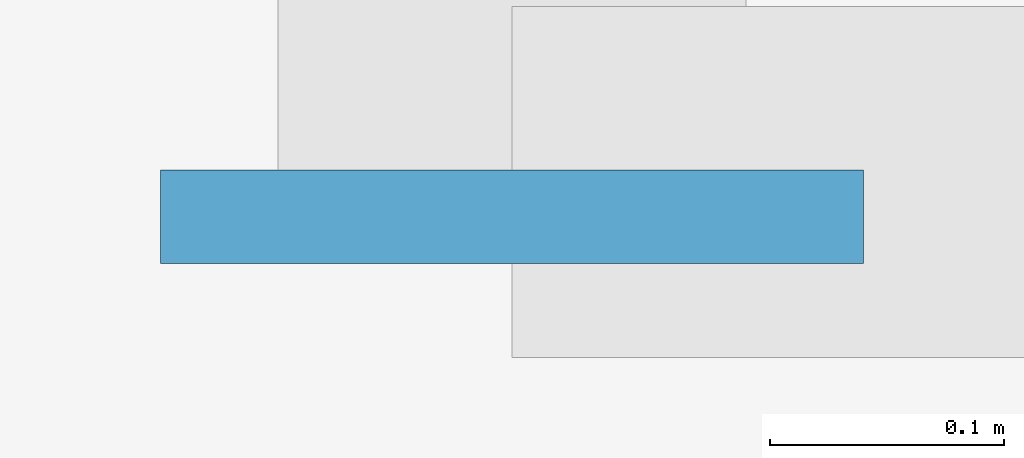
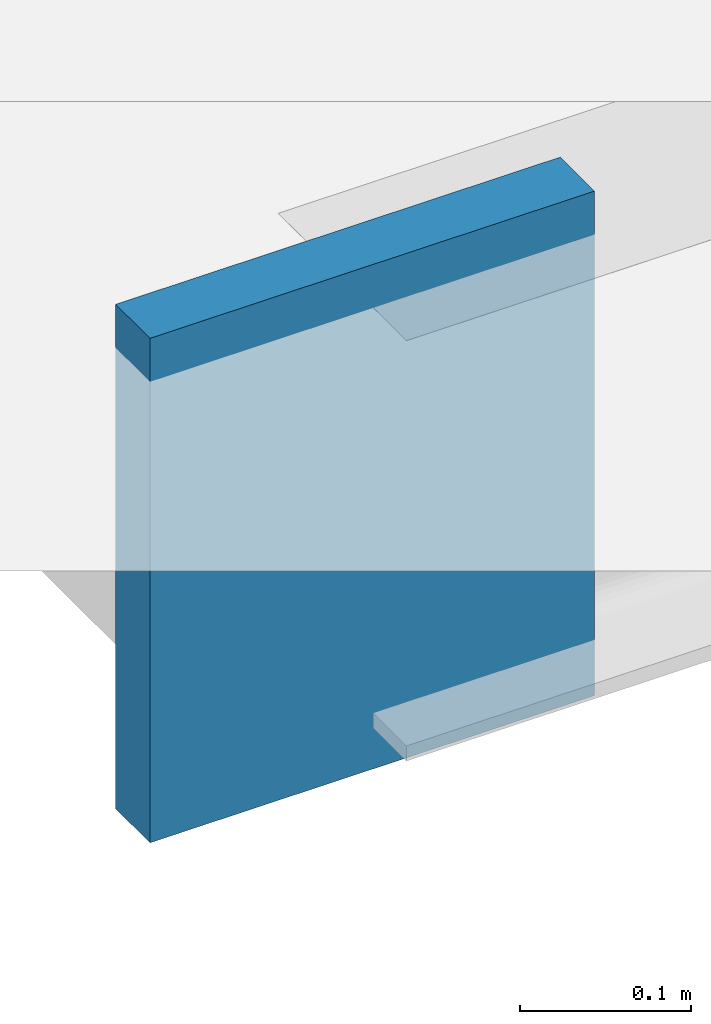
# One storey, part 19 of 28: 1 plate.
"""IFC4 building model written with IfcOpenShell, lengths in metres."""

from ifc_helpers import new_model, si_unit, direction, frame, origin, origin_2d, place, context, subcontext, project, spatial, rectangle, extrude, material, layer, layer_set, type_object, element, save


model = new_model("IFC4")

# Units and contexts
model_context = context("Model", 3, precision=1e-05, world=origin(), true_north=direction((0.0, 1.0)))
body_context = subcontext(model_context, "Body", "Model", "MODEL_VIEW")
ifc_project = project(units=[si_unit("LENGTHUNIT", "METRE"), si_unit("AREAUNIT", "SQUARE_METRE"), si_unit("VOLUMEUNIT", "CUBIC_METRE"), si_unit("PLANEANGLEUNIT", "RADIAN"), si_unit("MASSUNIT", "GRAM", prefix="KILO"), si_unit("THERMODYNAMICTEMPERATUREUNIT", "KELVIN"), si_unit("POWERUNIT", "WATT")], contexts=[model_context])

# Site, building, storey
site_placement = place(None, origin())
site = spatial("IfcSite", under=ifc_project, at=site_placement, CompositionType="ELEMENT")
building_placement = place(site_placement, origin())
building = spatial("IfcBuilding", under=site, at=building_placement, Name="Svarakhadi Broadcast Tower", CompositionType="ELEMENT")
storey_placement = place(building_placement, frame((0.0, 0.0, 153.14990234375)))
storey = spatial("IfcBuildingStorey", under=building, at=storey_placement, Name="L37", CompositionType="ELEMENT", Elevation=153.14990234375)

# Plate
ifc_material = material(Name="Steel S460ML (IS 2062 E450BR)", Category="steel")
ifc_layer = layer(ifc_material, 0.028076171875)
ifc_layer_set = layer_set([ifc_layer], Name="Steel S460ML (IS 2062 E450BR)")
plate_type = type_object("IfcPlateType", Name="Cap_Plate_CP02", PredefinedType="USERDEFINED", material=ifc_layer_set)
plate_placement = place(storey_placement, frame((-1.800048828125, 29.135009765625, -0.55517578125), z_axis=(0.0, 0.0, 1.0), x_axis=(1.0, 0.0, 0.0)))
element("IfcPlate", 1, at=plate_placement, inside=storey, type_object=plate_type, Name="L37 Balcony Spandrel End Cap Plate 2F-A", ObjectType="FLANGE_PLATE", PredefinedType="USERDEFINED", context=body_context, shape_type="SweptSolid", body=[
    extrude(rectangle(XDim=0.300048828125, YDim=0.0400390625, at=origin_2d()), origin(), (0.0, 0.0, 1.0), 0.360107421875),
])

save(model, "model.ifc")
